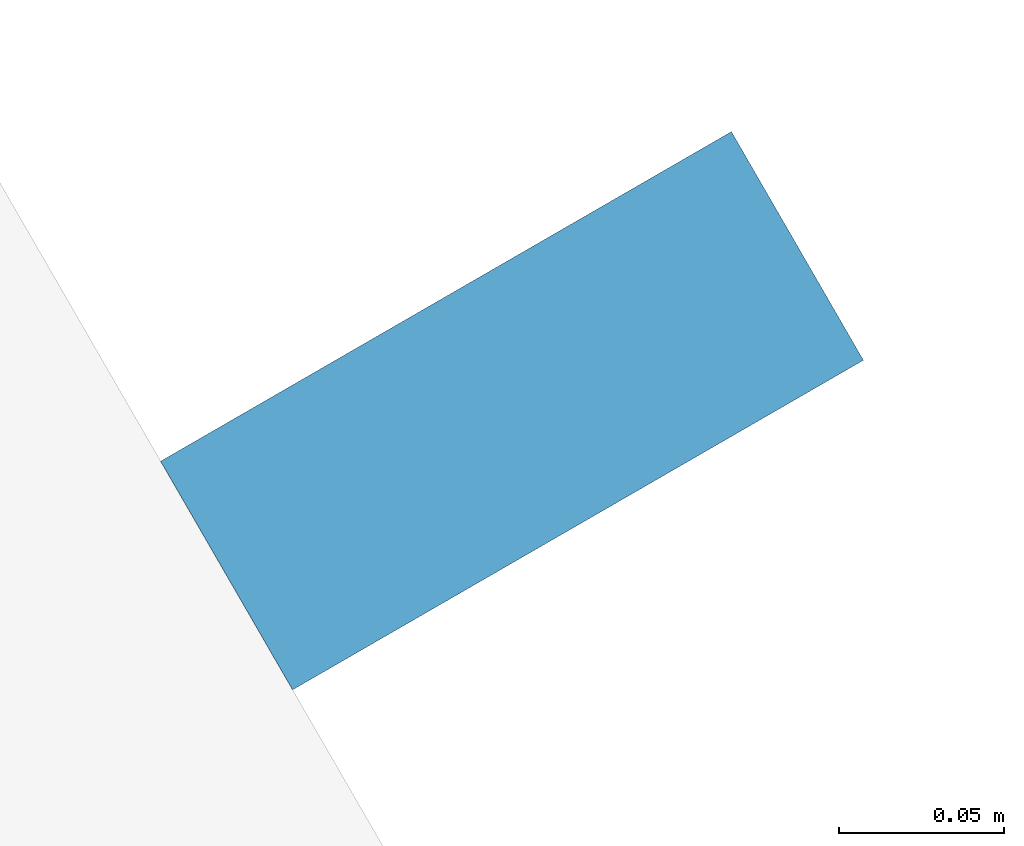
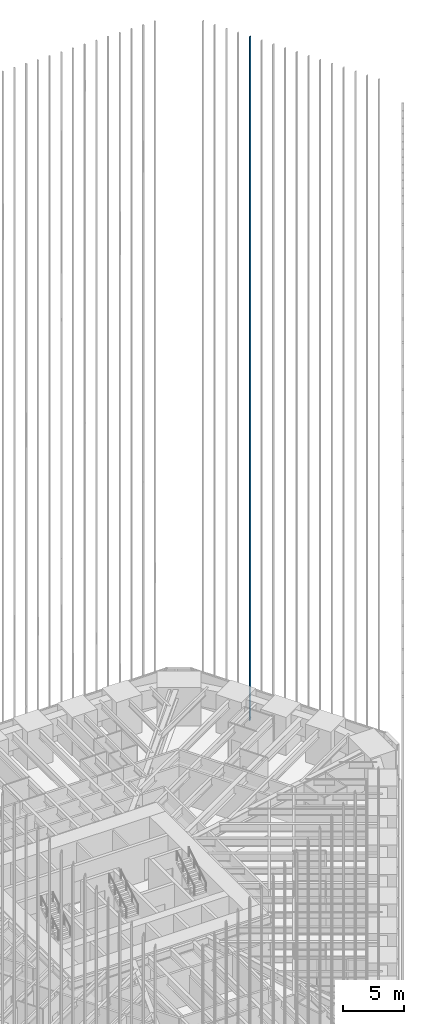
# One storey, part 238 of 256: 1 member, 1 element without a shape of its own.
"""IFC4 building model written with IfcOpenShell, lengths in metres."""

from ifc_helpers import new_model, si_unit, direction, frame, origin, origin_2d, place, context, subcontext, project, spatial, rectangle, extrude, material, material_profile, profile_set, type_object, element, aggregate, save


model = new_model("IFC4")

# Units and contexts
model_context = context("Model", 3, precision=1e-05, world=origin(), true_north=direction((0.0, 1.0)))
body_context = subcontext(model_context, "Body", "Model", "MODEL_VIEW")
ifc_project = project(units=[si_unit("LENGTHUNIT", "METRE"), si_unit("AREAUNIT", "SQUARE_METRE"), si_unit("VOLUMEUNIT", "CUBIC_METRE"), si_unit("PLANEANGLEUNIT", "RADIAN"), si_unit("MASSUNIT", "GRAM", prefix="KILO")], contexts=[model_context])

# Site, building, storey
site_placement = place(None, origin())
site = spatial("IfcSite", under=ifc_project, at=site_placement, CompositionType="ELEMENT")
building_placement = place(site_placement, origin())
building = spatial("IfcBuilding", under=site, at=building_placement, Name="Sandreach Pilgrim Tower", CompositionType="ELEMENT")
storey_placement = place(building_placement, frame((0.0, 0.0, 23.0)))
storey = spatial("IfcBuildingStorey", under=building, at=storey_placement, Name="L04", CompositionType="ELEMENT", Elevation=23.0)

# Curtain wall, member
ifc_material_1 = material(Name="Aluminium framed curtain wall", Category="aluminium")
curtain_wall_type = type_object("IfcCurtainWallType", Name="Hostel tower curtain wall", PredefinedType="NOTDEFINED", material=ifc_material_1)
curtain_wall_placement = place(storey_placement, origin())
curtain_wall = element("IfcCurtainWall", 1, at=curtain_wall_placement, inside=storey, type_object=curtain_wall_type, Name="CW-1 L04 NE", PredefinedType="NOTDEFINED")
ifc_material_2 = material(Name="Extruded terracotta on aluminium core", Category="masonry")
ifc_material_profile = material_profile(ifc_material_2, rectangle(XDim=0.080078125, YDim=0.199951171875, at=origin_2d()), Name="TBE 80X200")
ifc_profile_set = profile_set([ifc_material_profile], Name="Extruded terracotta on aluminium core")
member_type = type_object("IfcMemberType", Name="Terracotta baguette east", PredefinedType="USERDEFINED", material=ifc_profile_set)
member_placement = place(storey_placement, frame((24.400634765625, 18.55859375, 0.0), z_axis=(0.0, 0.0, 1.0), x_axis=(0.5, -0.866025403784, 0.0)))
member = element("IfcMember", 2, at=member_placement, type_object=member_type, Name="Baguette Z1 NE05", ObjectType="BAGUETTE", PredefinedType="USERDEFINED", context=body_context, shape_type="SweptSolid", body=[
    extrude(rectangle(XDim=0.080078125, YDim=0.199951171875, at=origin_2d()), origin(), (0.0, 0.0, 1.0), 68.239990234375),
])
aggregate(curtain_wall, [member])

save(model, "model.ifc")
